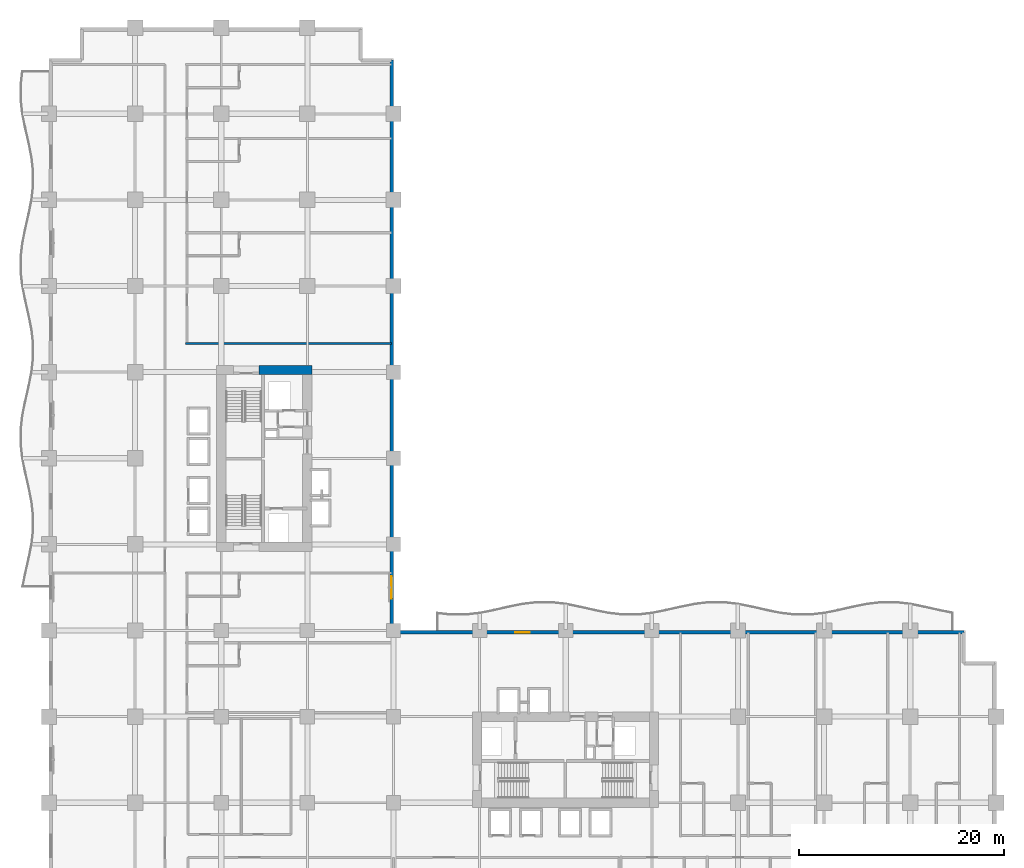
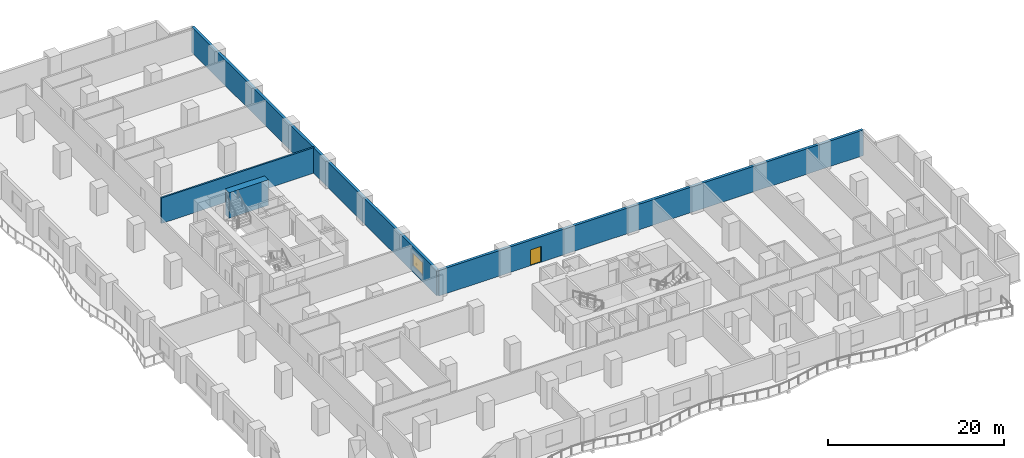
# One storey, part 9 of 18: 4 walls, 1 door, 1 window, 2 openings.
"""IFC4 building model written with IfcOpenShell, lengths in metres."""

from ifc_helpers import new_model, si_unit, direction, frame, frame_2d, origin, place, context, subcontext, project, spatial, rectangle, extrude, material, layer, layer_set, type_object, element, fill, save


model = new_model("IFC4")

# Units and contexts
model_context = context("Model", 3, precision=1e-05, world=origin(), true_north=direction((0.0, 1.0)))
body_context = subcontext(model_context, "Body", "Model", "MODEL_VIEW")
ifc_project = project(units=[si_unit("LENGTHUNIT", "METRE"), si_unit("AREAUNIT", "SQUARE_METRE"), si_unit("VOLUMEUNIT", "CUBIC_METRE"), si_unit("PLANEANGLEUNIT", "RADIAN"), si_unit("MASSUNIT", "GRAM", prefix="KILO")], contexts=[model_context])

# Site, building, storey
site_placement = place(None, origin())
site = spatial("IfcSite", under=ifc_project, at=site_placement, CompositionType="ELEMENT")
building_placement = place(site_placement, origin())
building = spatial("IfcBuilding", under=site, at=building_placement, Name="Koriwani Terraces Tower", CompositionType="ELEMENT")
storey_placement = place(building_placement, frame((0.0, 0.0, 81.39990234375)))
storey = spatial("IfcBuildingStorey", under=building, at=storey_placement, Name="L19", CompositionType="ELEMENT", Elevation=81.39990234375)

# Walls
ifc_material_1 = material(Name="Concrete C60/75", Category="concrete")
ifc_layer_1 = layer(ifc_material_1, 0.89990234375, Name="Concrete C60/75")
ifc_layer_set_1 = layer_set([ifc_layer_1], Name="Concrete C60/75")
wall_type_1 = type_object("IfcWallType", Name="WALL_CORE_RC_900", PredefinedType="SHEAR", material=ifc_layer_set_1)
wall_1_placement = place(storey_placement, frame((20.5, 59.0, 0.0), z_axis=(0.0, 0.0, 1.0), x_axis=(1.0, 0.0, 0.0)))
element("IfcWall", 1, at=wall_1_placement, inside=storey, type_object=wall_type_1, Name="L19 West Split Core Shear Wall N2", PredefinedType="SHEAR", context=body_context, shape_type="SweptSolid", body=[
    extrude(rectangle(XDim=5.14990234375, YDim=0.89990234375, at=frame_2d((2.574951171875, 0.0))), origin(), (0.0, 0.0, 1.0), 3.550048828125),
])
ifc_material_2 = material(Name="Autoclaved Cellular Concrete Blockwork", Category="masonry")
ifc_layer_2 = layer(ifc_material_2, 0.219970703125, Name="Autoclaved Cellular Concrete Blockwork")
ifc_layer_set_2 = layer_set([ifc_layer_2], Name="Autoclaved Cellular Concrete Blockwork")
wall_type_2 = type_object("IfcWallType", Name="WALL_DEMISING_220", PredefinedType="PARTITIONING", material=ifc_layer_set_2)
wall_2_placement = place(storey_placement, frame((13.300048828125, 61.60009765625, 0.0), z_axis=(0.0, 0.0, 1.0), x_axis=(1.0, 0.0, 0.0)))
element("IfcWall", 2, at=wall_2_placement, inside=storey, type_object=wall_type_2, Name="L19 Interior Wall WDEM-L19-NE-0", PredefinedType="PARTITIONING", context=body_context, shape_type="SweptSolid", body=[
    extrude(rectangle(XDim=20.1298828125, YDim=0.219970703125, at=frame_2d((10.06494140625, 0.0))), origin(), (0.0, 0.0, 1.0), 3.550048828125),
])

# Wall, opening, window
ifc_material_3 = material(Name="Concrete C50/60", Category="concrete")
ifc_layer_3 = layer(ifc_material_3, 0.35009765625, Name="Concrete C50/60")
ifc_layer_set_3 = layer_set([ifc_layer_3], Name="Concrete C50/60")
wall_type_3 = type_object("IfcWallType", Name="WALL_EXT_BRUTALIST_350", PredefinedType="STANDARD", material=ifc_layer_set_3)
wall_3_placement = place(storey_placement, frame((33.425048828125, 89.22509765625, 0.0), z_axis=(0.0, 0.0, 1.0), x_axis=(0.0, -1.0, 0.0)))
wall_3 = element("IfcWall", 3, at=wall_3_placement, inside=storey, type_object=wall_type_3, Name="L19 Fair-Faced Brutalist Exterior Wall (NW_IN)", PredefinedType="STANDARD", context=body_context, shape_type="SweptSolid", body=[
    extrude(rectangle(XDim=55.800048828125, YDim=0.35009765625, at=frame_2d((27.89990234375, 0.0))), origin(), (0.0, 0.0, 1.0), 3.550048828125),
])
opening_1_placement = place(wall_3_placement, frame((50.324951171875, 0.0, 0.85009765625)))
opening_1 = element("IfcOpeningElement", 4, at=opening_1_placement, cuts=wall_3, Name="Opening W-01", PredefinedType="OPENING", context=body_context, shape_type="SweptSolid", body=[
    extrude(rectangle(XDim=2.199951171875, YDim=1.800048828125, at=frame_2d((1.10009765625, 0.89990234375))), frame((0.0, 0.18505859375, 0.0), z_axis=(0.0, -1.0, 0.0), x_axis=(1.0, 0.0, 0.0)), (0.0, 0.0, 1.0), 0.3701171875),
])
ifc_material_4 = material(Name="Tempered Laminated Low-E Glass", Category="glass")
window_type = type_object("IfcWindowType", Name="WIN_HOTEL_STD_2200X1800", PartitioningType="DOUBLE_PANEL_VERTICAL", PredefinedType="WINDOW", material=ifc_material_4)
window_placement = place(opening_1_placement, origin())
window = element("IfcWindow", 5, at=window_placement, inside=storey, type_object=window_type, Name="L19 Exterior Window (NW_IN-2)", OverallHeight=1.800048828125, OverallWidth=2.199951171875, PartitioningType="SINGLE_PANEL", PredefinedType="WINDOW", context=body_context, shape_type="SweptSolid", body=[
    extrude(rectangle(XDim=2.199951171875, YDim=1.800048828125, at=frame_2d((1.10009765625, 0.89990234375))), frame((0.0, 0.030029296875, 0.0), z_axis=(0.0, -1.0, 0.0), x_axis=(1.0, 0.0, 0.0)), (0.0, 0.0, 1.0), 0.06005859375),
])
fill(opening_1, window)

# Wall, opening, door
wall_4_placement = place(storey_placement, frame((33.425048828125, 33.425048828125, 0.0), z_axis=(0.0, 0.0, 1.0), x_axis=(1.0, 0.0, 0.0)))
wall_4 = element("IfcWall", 6, at=wall_4_placement, inside=storey, type_object=wall_type_3, Name="L19 Fair-Faced Brutalist Exterior Wall (NE)", PredefinedType="STANDARD", context=body_context, shape_type="SweptSolid", body=[
    extrude(rectangle(XDim=55.800048828125, YDim=0.35009765625, at=frame_2d((27.89990234375, 0.0))), origin(), (0.0, 0.0, 1.0), 3.550048828125),
])
opening_2_placement = place(wall_4_placement, frame((12.074951171875, 0.0, 0.0)))
opening_2 = element("IfcOpeningElement", 7, at=opening_2_placement, cuts=wall_4, Name="Opening D-09", PredefinedType="OPENING", context=body_context, shape_type="SweptSolid", body=[
    extrude(rectangle(XDim=1.39990234375, YDim=2.199951171875, at=frame_2d((0.699951171875, 1.10009765625))), frame((0.0, 0.18505859375, 0.0), z_axis=(0.0, -1.0, 0.0), x_axis=(1.0, 0.0, 0.0)), (0.0, 0.0, 1.0), 0.3701171875),
])
ifc_material_5 = material(Name="Anodised Bronze Aluminium", Category="aluminium")
door_type = type_object("IfcDoorType", Name="DOOR_BALCONY_GLAZED_1400X2200", OperationType="NOTDEFINED", PredefinedType="DOOR", material=ifc_material_5)
door_placement = place(opening_2_placement, origin())
door = element("IfcDoor", 8, at=door_placement, inside=storey, type_object=door_type, Name="L19 Inner Court Balcony Glazed Door", OperationType="SINGLE_SWING_LEFT", OverallHeight=2.199951171875, OverallWidth=1.39990234375, PredefinedType="DOOR", context=body_context, shape_type="SweptSolid", body=[
    extrude(rectangle(XDim=1.39990234375, YDim=2.199951171875, at=frame_2d((0.699951171875, 1.10009765625))), frame((0.0, 0.02490234375, 0.0), z_axis=(0.0, -1.0, 0.0), x_axis=(1.0, 0.0, 0.0)), (0.0, 0.0, 1.0), 0.050048828125),
])
fill(opening_2, door)

save(model, "model.ifc")
